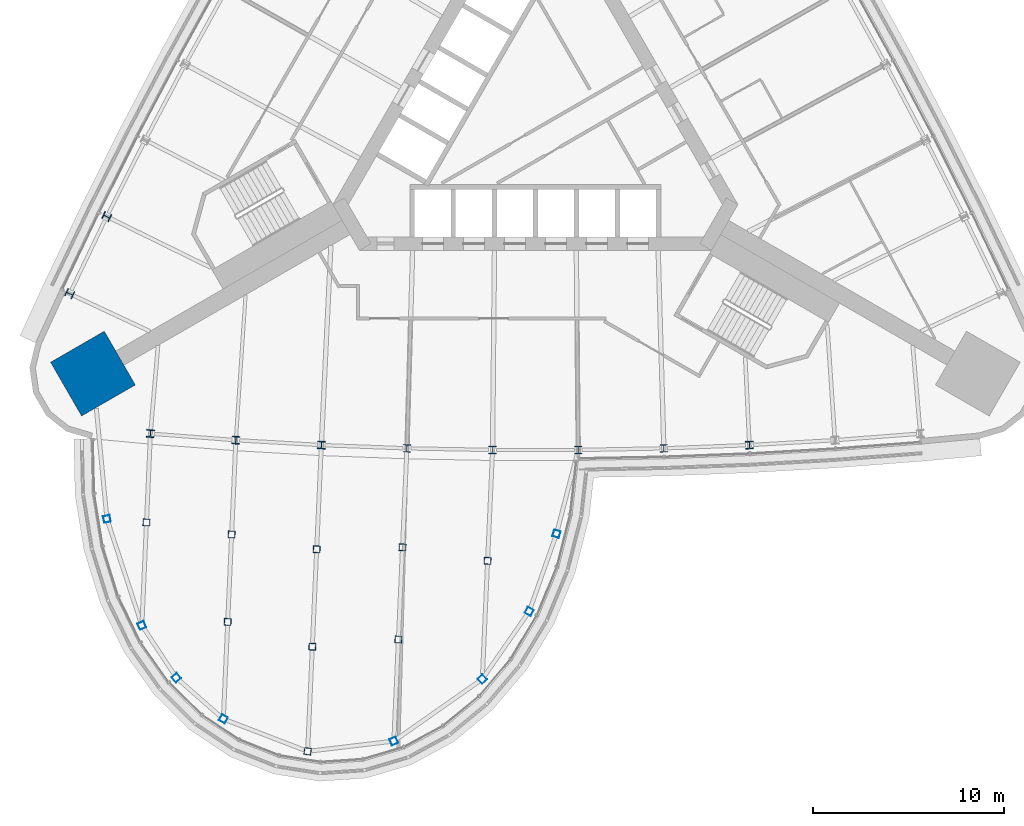
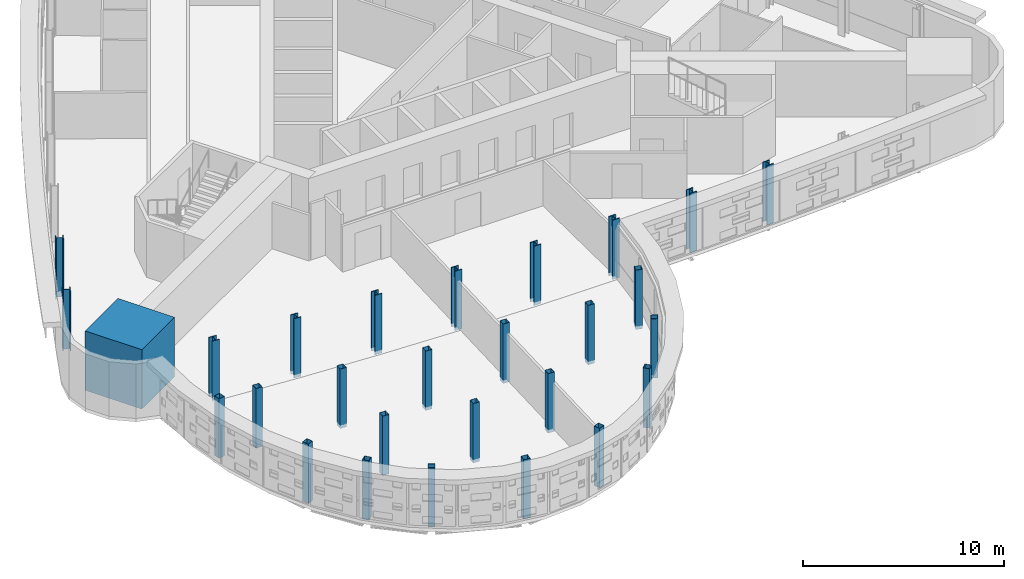
# One storey, part 1 of 16: 28 columns.
"""IFC4 building model written with IfcOpenShell, lengths in metres."""

from ifc_helpers import new_model, si_unit, direction, frame, origin, origin_2d, place, context, subcontext, project, spatial, rectangle, hollow_rectangle, i_section, extrude, material, material_profile, profile_set, type_object, element, save


model = new_model("IFC4")

# Units and contexts
model_context = context("Model", 3, precision=1e-05, world=origin(), true_north=direction((0.0, 1.0)))
body_context = subcontext(model_context, "Body", "Model", "MODEL_VIEW")
ifc_project = project(units=[si_unit("LENGTHUNIT", "METRE"), si_unit("AREAUNIT", "SQUARE_METRE"), si_unit("VOLUMEUNIT", "CUBIC_METRE"), si_unit("PLANEANGLEUNIT", "RADIAN"), si_unit("MASSUNIT", "GRAM", prefix="KILO")], contexts=[model_context])

# Site, building, storey
site_placement = place(None, origin())
site = spatial("IfcSite", under=ifc_project, at=site_placement, CompositionType="ELEMENT")
building_placement = place(site_placement, origin())
building = spatial("IfcBuilding", under=site, at=building_placement, Name="Noor Cloister Tower", CompositionType="ELEMENT")
storey_placement = place(building_placement, frame((0.0, 0.0, 61.800048828125)))
storey = spatial("IfcBuildingStorey", under=building, at=storey_placement, Name="L15", CompositionType="ELEMENT", Elevation=61.800048828125)

# Columns
ifc_material_1 = material(Name="Steel ASTM A992 Gr 50", Category="steel")
ifc_material_profile_1 = material_profile(ifc_material_1, i_section(OverallWidth=0.404052734375, OverallDepth=0.406005859375, WebThickness=0.027099609375, FlangeThickness=0.043701171875, FilletRadius=0.01513671875, at=origin_2d()), Name="W360x347")
ifc_profile_set_1 = profile_set([ifc_material_profile_1], Name="Steel ASTM A992 Gr 50")
column_type_1 = type_object("IfcColumnType", Name="Column W360x347", PredefinedType="COLUMN", material=ifc_profile_set_1)
for number, where, z_axis, x_axis, name in (
    (1, (-22.46923828125, -5.157958984375, -0.199951171875), (0.0, 0.0, 1.0), (-0.441044131004, -0.897485417434, 0.0), "Column NW 09 L15"),
    (2, (-24.41064453125, -9.205810546875, -0.199951171875), (0.0, 0.0, 1.0), (-0.423826109857, -0.905743577732, 0.0), "Column NW 10 L15"),
    (3, (-20.177978515625, -16.537353515625, -0.199951171875), (0.0, 0.0, 1.0), (0.996310002559, -0.085827610942, 0.0), "Column S 01 L15"),
    (4, (-15.70166015625, -16.8798828125, -0.199951171875), (0.0, 0.0, 1.0), (0.997767236526, -0.066787287078, 0.0), "Column S 02 L15"),
    (5, (-11.219482421875, -17.136962890625, -0.199951171875), (0.0, 0.0, 1.0), (0.998860627223, -0.047722608731, 0.0), "Column S 03 L15"),
    (6, (-6.7333984375, -17.308349609375, -0.199951171875), (0.0, 0.0, 1.0), (0.999589775937, -0.028640527978, 0.0), "Column S 04 L15"),
    (7, (-2.24462890625, -17.39404296875, -0.199951171875), (0.0, 0.0, 1.0), (0.999954416778, -0.009548003243, 0.0), "Column S 05 L15"),
    (8, (2.24462890625, -17.39404296875, -0.199951171875), (0.0, 0.0, 1.0), (0.999954416778, 0.009548003243, 0.0), "Column S 06 L15"),
    (9, (6.7333984375, -17.308349609375, -0.199951171875), (0.0, 0.0, 1.0), (0.999589775937, 0.028640527978, 0.0), "Column S 07 L15"),
    (10, (11.219482421875, -17.136962890625, -0.199951171875), (0.0, 0.0, 1.0), (0.998860627223, 0.047722608731, 0.0), "Column S 08 L15"),
):
    element("IfcColumn", number, at=place(storey_placement, frame(where, z_axis=z_axis, x_axis=x_axis)), inside=storey, type_object=column_type_1, Name=name, PredefinedType="COLUMN", context=body_context, shape_type="SweptSolid", body=[
        extrude(i_section(OverallWidth=0.404052734375, OverallDepth=0.406005859375, WebThickness=0.027099609375, FlangeThickness=0.043701171875, FilletRadius=0.01513671875, at=origin_2d()), origin(), (0.0, 0.0, 1.0), 3.599853515625),
    ])
ifc_material_2 = material(Name="Concrete C80/95", Category="concrete")
ifc_material_profile_2 = material_profile(ifc_material_2, rectangle(XDim=3.25, YDim=3.25, at=origin_2d()), Name="RC 3250x3250")
ifc_profile_set_2 = profile_set([ifc_material_profile_2], Name="Concrete C80/95")
column_type_2 = type_object("IfcColumnType", Name="Corner pier 3250 x 3250 C80/95", PredefinedType="COLUMN", material=ifc_profile_set_2)
column_placement = place(storey_placement, frame((-23.192138671875, -13.389892578125, -0.199951171875), z_axis=(0.0, 0.0, 1.0), x_axis=(-0.866025403784, -0.5, 0.0)))
element("IfcColumn", 11, at=column_placement, inside=storey, type_object=column_type_2, Name="Corner pier SW L15", PredefinedType="COLUMN", context=body_context, shape_type="SweptSolid", body=[
    extrude(rectangle(XDim=3.25, YDim=3.25, at=origin_2d()), origin(), (0.0, 0.0, 1.0), 3.599853515625),
])
ifc_material_3 = material(Name="Steel ASTM A500 Gr C", Category="steel")
ifc_material_profile_3 = material_profile(ifc_material_3, hollow_rectangle(XDim=0.35595703125, YDim=0.35595703125, WallThickness=0.0126953125, at=origin_2d()), Name="HSS355.6x355.6x12.7")
ifc_profile_set_3 = profile_set([ifc_material_profile_3], Name="Steel ASTM A500 Gr C")
column_type_3 = type_object("IfcColumnType", Name="Pod post HSS355.6x355.6x12.7", PredefinedType="COLUMN", material=ifc_profile_set_3)
for number, where, z_axis, x_axis, name in (
    (12, (-20.38623046875, -21.193115234375, -0.199951171875), (0.0, 0.0, 1.0), (-0.044724271648, -0.998999369132, 0.0), "Pod post 1 L15 line 1 node 1"),
    (13, (-15.9228515625, -21.82275390625, -0.199951171875), (0.0, 0.0, 1.0), (-0.044724271648, -0.998999369132, 0.0), "Pod post 1 L15 line 2 node 1"),
    (14, (-16.1279296875, -26.40625, -0.199951171875), (0.0, 0.0, 1.0), (-0.044724271648, -0.998999369132, 0.0), "Pod post 1 L15 line 2 node 2"),
    (15, (-11.464111328125, -22.60009765625, -0.199951171875), (0.0, 0.0, 1.0), (-0.044724271648, -0.998999369132, 0.0), "Pod post 1 L15 line 3 node 1"),
    (16, (-11.692626953125, -27.707275390625, -0.199951171875), (0.0, 0.0, 1.0), (-0.044724271648, -0.998999369132, 0.0), "Pod post 1 L15 line 3 node 2"),
    (17, (-6.965576171875, -22.4970703125, -0.199951171875), (0.0, 0.0, 1.0), (-0.044724271648, -0.998999369132, 0.0), "Pod post 1 L15 line 4 node 1"),
    (18, (-7.181884765625, -27.327392578125, -0.199951171875), (0.0, 0.0, 1.0), (-0.044724271648, -0.998999369132, 0.0), "Pod post 1 L15 line 4 node 2"),
    (19, (-2.5048828125, -23.20458984375, -0.199951171875), (0.0, 0.0, 1.0), (-0.044724271648, -0.998999369132, 0.0), "Pod post 1 L15 line 5 node 1"),
    (20, (-22.458251953125, -21.009521484375, -0.199951171875), (0.0, 0.0, 1.0), (0.199784732391, -0.979839813798, 0.0), "Pod post 1 L15 ring 2"),
    (21, (-20.6279296875, -26.590576171875, -0.199951171875), (0.0, 0.0, 1.0), (0.400492107305, -0.91630020844, 0.0), "Pod post 1 L15 ring 3"),
    (22, (-18.82080078125, -29.33154296875, -0.199951171875), (0.0, 0.0, 1.0), (0.656895642858, -0.753981507992, 0.0), "Pod post 1 L15 ring 4"),
    (23, (-16.355712890625, -31.494140625, -0.199951171875), (0.0, 0.0, 1.0), (0.872197636381, -0.489153639556, 0.0), "Pod post 1 L15 ring 5"),
    (24, (-11.938232421875, -33.191650390625, -0.199951171875), (0.0, 0.0, 1.0), (0.991693765435, -0.128621442994, 0.0), "Pod post 1 L15 ring 6"),
    (25, (-7.42041015625, -32.653076171875, -0.199951171875), (0.0, 0.0, 1.0), (0.924064089227, 0.382237568798, 0.0), "Pod post 1 L15 ring 7"),
    (26, (-2.782470703125, -29.404296875, -0.199951171875), (0.0, 0.0, 1.0), (0.722456554372, 0.691416319625, 0.0), "Pod post 1 L15 ring 8"),
    (27, (-0.32275390625, -25.8603515625, -0.199951171875), (0.0, 0.0, 1.0), (0.454860564449, 0.890562668715, 0.0), "Pod post 1 L15 ring 9"),
    (28, (1.108154296875, -21.787109375, -0.199951171875), (0.0, 0.0, 1.0), (0.291129933307, 0.956683522348, 0.0), "Pod post 1 L15 ring 10"),
):
    element("IfcColumn", number, at=place(storey_placement, frame(where, z_axis=z_axis, x_axis=x_axis)), inside=storey, type_object=column_type_3, Name=name, PredefinedType="COLUMN", context=body_context, shape_type="SweptSolid", body=[
        extrude(hollow_rectangle(XDim=0.35595703125, YDim=0.35595703125, WallThickness=0.0126953125, at=origin_2d()), origin(), (0.0, 0.0, 1.0), 3.599853515625),
    ])

save(model, "model.ifc")
